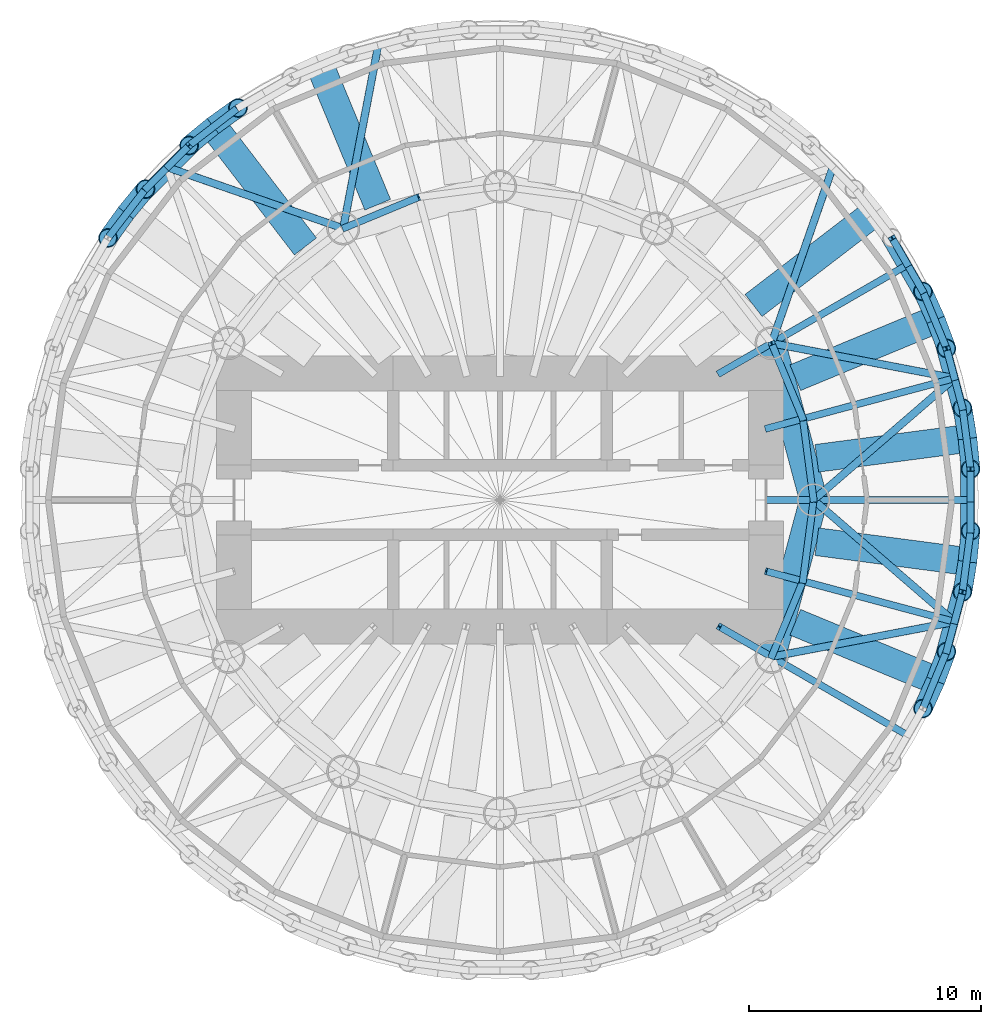
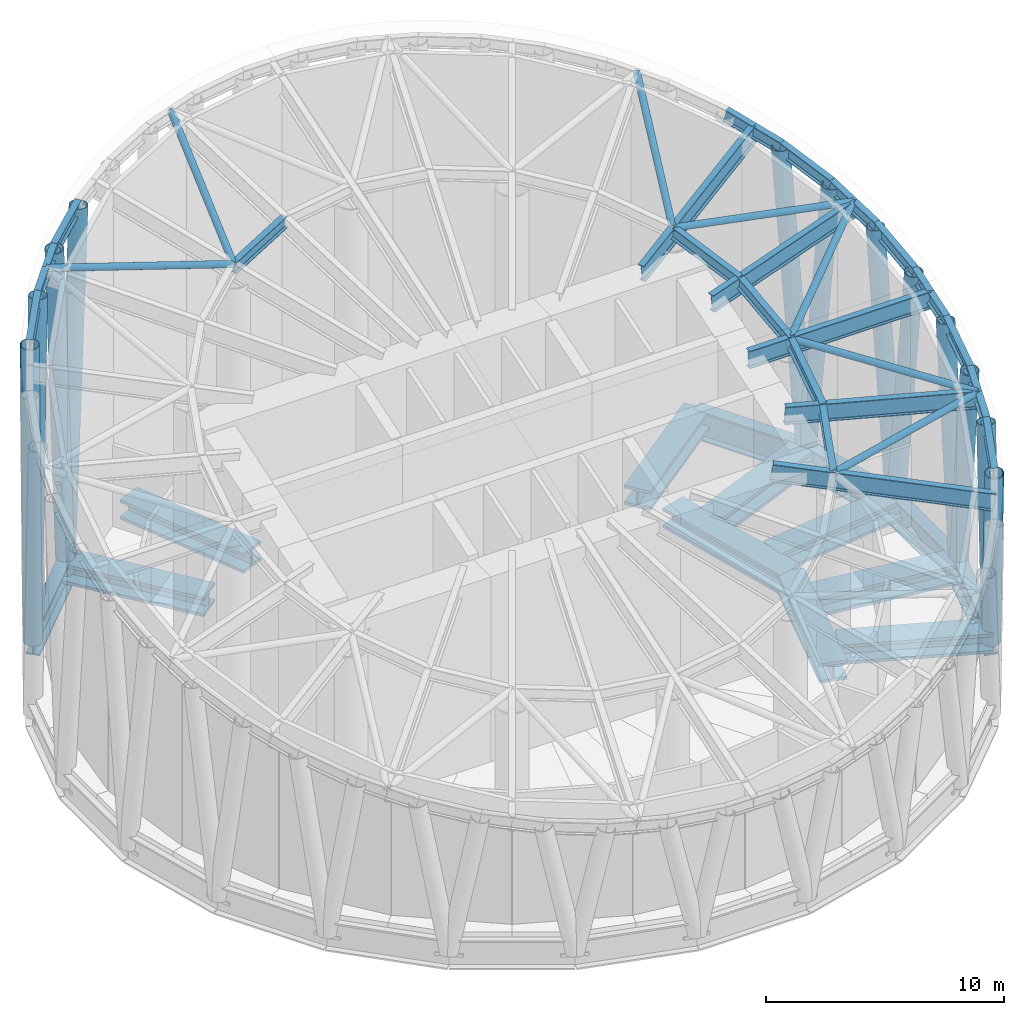
# One storey, part 4 of 9: 40 beams, 19 members.
"""IFC4 building model written with IfcOpenShell, lengths in metres."""

from ifc_helpers import new_model, si_unit, direction, frame, origin, origin_2d, place, context, subcontext, project, spatial, hollow_circle, i_section, extrude, material, material_profile, profile_set, type_object, element, save


model = new_model("IFC4")

# Units and contexts
model_context = context("Model", 3, precision=1e-05, world=origin(), true_north=direction((0.0, 1.0)))
body_context = subcontext(model_context, "Body", "Model", "MODEL_VIEW")
ifc_project = project(units=[si_unit("LENGTHUNIT", "METRE"), si_unit("AREAUNIT", "SQUARE_METRE"), si_unit("VOLUMEUNIT", "CUBIC_METRE"), si_unit("PLANEANGLEUNIT", "RADIAN"), si_unit("MASSUNIT", "GRAM", prefix="KILO")], contexts=[model_context])

# Site, building, storey
site_placement = place(None, origin())
site = spatial("IfcSite", under=ifc_project, at=site_placement, CompositionType="ELEMENT")
building_placement = place(site_placement, origin())
building = spatial("IfcBuilding", under=site, at=building_placement, Name="Qaws Media Tower", CompositionType="ELEMENT")
storey_placement = place(building_placement, frame((0.0, 0.0, 286.39990234375)))
storey = spatial("IfcBuildingStorey", under=building, at=storey_placement, Name="L66", CompositionType="ELEMENT", Elevation=286.39990234375)

# Members
ifc_material_1 = material(Name="Steel S355", Category="steel")
ifc_material_profile_1 = material_profile(ifc_material_1, hollow_circle(Radius=0.406494140625, WallThickness=0.0400390625, at=origin_2d()), Name="CHS 813x40")
ifc_profile_set_1 = profile_set([ifc_material_profile_1], Name="Steel S355")
member_type_1 = type_object("IfcMemberType", Name="Crown diagrid member CHS 813x40", PredefinedType="USERDEFINED", material=ifc_profile_set_1)
member_1_placement = place(storey_placement, frame((80.126220703125, 52.649658203125, -1.0), z_axis=(-0.015689526543, 0.09507569753, 0.995346397239), x_axis=(-0.986655896054, -0.162819356287, 0.0)))
element("IfcMember", 1, at=member_1_placement, inside=storey, type_object=member_type_1, Name="DG5 crown diagrid A01", ObjectType="DIAGRID", PredefinedType="USERDEFINED", context=body_context, shape_type="SweptSolid", body=[
    extrude(hollow_circle(Radius=0.406494140625, WallThickness=0.0400390625, at=origin_2d()), origin(), (0.0, 0.0, 1.0), 13.786865234375),
])
member_2_placement = place(storey_placement, frame((80.126220703125, 52.649658203125, -1.0), z_axis=(0.0100782986, -0.102198477375, 0.994712973234), x_axis=(0.995172725199, 0.098138916945, 0.0)))
element("IfcMember", 2, at=member_2_placement, inside=storey, type_object=member_type_1, Name="DG5 crown diagrid B01", ObjectType="DIAGRID", PredefinedType="USERDEFINED", context=body_context, shape_type="SweptSolid", body=[
    extrude(hollow_circle(Radius=0.406494140625, WallThickness=0.0400390625, at=origin_2d()), origin(), (0.0, 0.0, 1.0), 12.935791015625),
])
member_3_placement = place(storey_placement, frame((78.754638671875, 57.7685546875, -1.0), z_axis=(-0.035566092022, 0.078514722522, 0.996278320273), x_axis=(-0.910900743687, -0.412625538656, 0.0)))
element("IfcMember", 3, at=member_3_placement, inside=storey, type_object=member_type_1, Name="DG5 crown diagrid A02", ObjectType="DIAGRID", PredefinedType="USERDEFINED", context=body_context, shape_type="SweptSolid", body=[
    extrude(hollow_circle(Radius=0.406494140625, WallThickness=0.0400390625, at=origin_2d()), origin(), (0.0, 0.0, 1.0), 15.41064453125),
])
member_4_placement = place(storey_placement, frame((78.754638671875, 57.7685546875, -1.0), z_axis=(0.032019466778, -0.085067889567, 0.995860536376), x_axis=(0.935898018612, 0.352271058645, 0.0)))
element("IfcMember", 4, at=member_4_placement, inside=storey, type_object=member_type_1, Name="DG5 crown diagrid B02", ObjectType="DIAGRID", PredefinedType="USERDEFINED", context=body_context, shape_type="SweptSolid", body=[
    extrude(hollow_circle(Radius=0.406494140625, WallThickness=0.0400390625, at=origin_2d()), origin(), (0.0, 0.0, 1.0), 14.61669921875),
])
member_5_placement = place(storey_placement, frame((47.64208984375, 66.10498046875, -1.0), z_axis=(-0.058860230621, -0.048294497354, 0.997097344684), x_axis=(0.634308161704, -0.773080303717, 0.0)))
element("IfcMember", 5, at=member_5_placement, inside=storey, type_object=member_type_1, Name="DG5 crown diagrid A09", ObjectType="DIAGRID", PredefinedType="USERDEFINED", context=body_context, shape_type="SweptSolid", body=[
    extrude(hollow_circle(Radius=0.406494140625, WallThickness=0.0400390625, at=origin_2d()), origin(), (0.0, 0.0, 1.0), 17.445556640625),
])
member_6_placement = place(storey_placement, frame((47.64208984375, 66.10498046875, -1.0), z_axis=(0.060093119495, 0.043069226498, 0.997263184279), x_axis=(-0.582541199639, 0.812801175395, 0.0)))
element("IfcMember", 6, at=member_6_placement, inside=storey, type_object=member_type_1, Name="DG5 crown diagrid B09", ObjectType="DIAGRID", PredefinedType="USERDEFINED", context=body_context, shape_type="SweptSolid", body=[
    extrude(hollow_circle(Radius=0.406494140625, WallThickness=0.0400390625, at=origin_2d()), origin(), (0.0, 0.0, 1.0), 17.96923828125),
])
member_7_placement = place(storey_placement, frame((43.89501953125, 62.35791015625, -1.0), z_axis=(-0.047906087297, -0.06684183726, 0.996612851408), x_axis=(0.812801175395, -0.582541199639, 0.0)))
element("IfcMember", 7, at=member_7_placement, inside=storey, type_object=member_type_1, Name="DG5 crown diagrid A10", ObjectType="DIAGRID", PredefinedType="USERDEFINED", context=body_context, shape_type="SweptSolid", body=[
    extrude(hollow_circle(Radius=0.406494140625, WallThickness=0.0400390625, at=origin_2d()), origin(), (0.0, 0.0, 1.0), 16.155029296875),
])
member_8_placement = place(storey_placement, frame((43.89501953125, 62.35791015625, -1.0), z_axis=(0.050039198741, 0.060986632833, 0.996883498311), x_axis=(-0.773080303717, 0.634308161704, 0.0)))
element("IfcMember", 8, at=member_8_placement, inside=storey, type_object=member_type_1, Name="DG5 crown diagrid B10", ObjectType="DIAGRID", PredefinedType="USERDEFINED", context=body_context, shape_type="SweptSolid", body=[
    extrude(hollow_circle(Radius=0.406494140625, WallThickness=0.0400390625, at=origin_2d()), origin(), (0.0, 0.0, 1.0), 16.83740234375),
])
member_9_placement = place(storey_placement, frame((78.754638671875, 42.2314453125, -1.0), z_axis=(0.044997898047, 0.119548406235, 0.991808130506), x_axis=(-0.935898018612, 0.352271058645, 0.0)))
element("IfcMember", 9, at=member_9_placement, inside=storey, type_object=member_type_1, Name="DG5 crown diagrid A23", ObjectType="DIAGRID", PredefinedType="USERDEFINED", context=body_context, shape_type="SweptSolid", body=[
    extrude(hollow_circle(Radius=0.406494140625, WallThickness=0.0400390625, at=origin_2d()), origin(), (0.0, 0.0, 1.0), 10.40087890625),
])
member_10_placement = place(storey_placement, frame((78.754638671875, 42.2314453125, -1.0), z_axis=(-0.057027765099, -0.1258929193, 0.990403355648), x_axis=(0.910900743687, -0.412625538656, 0.0)))
element("IfcMember", 10, at=member_10_placement, inside=storey, type_object=member_type_1, Name="DG5 crown diagrid B23", ObjectType="DIAGRID", PredefinedType="USERDEFINED", context=body_context, shape_type="SweptSolid", body=[
    extrude(hollow_circle(Radius=0.406494140625, WallThickness=0.0400390625, at=origin_2d()), origin(), (0.0, 0.0, 1.0), 9.611083984375),
])
member_11_placement = place(storey_placement, frame((80.126220703125, 47.350341796875, -1.0), z_axis=(0.010794170068, 0.109457735806, 0.993932839766), x_axis=(-0.995172725199, 0.098138916945, 0.0)))
element("IfcMember", 11, at=member_11_placement, inside=storey, type_object=member_type_1, Name="DG5 crown diagrid A24", ObjectType="DIAGRID", PredefinedType="USERDEFINED", context=body_context, shape_type="SweptSolid", body=[
    extrude(hollow_circle(Radius=0.406494140625, WallThickness=0.0400390625, at=origin_2d()), origin(), (0.0, 0.0, 1.0), 12.077880859375),
])
member_12_placement = place(storey_placement, frame((80.126220703125, 47.350341796875, -1.0), z_axis=(-0.019265030542, -0.116742606072, 0.992975338327), x_axis=(0.986655896054, -0.162819356287, 0.0)))
element("IfcMember", 12, at=member_12_placement, inside=storey, type_object=member_type_1, Name="DG5 crown diagrid B24", ObjectType="DIAGRID", PredefinedType="USERDEFINED", context=body_context, shape_type="SweptSolid", body=[
    extrude(hollow_circle(Radius=0.406494140625, WallThickness=0.0400390625, at=origin_2d()), origin(), (0.0, 0.0, 1.0), 11.22802734375),
])

# Beams
ifc_material_2 = material(Name="Steel S355", Category="steel")
ifc_material_profile_2 = material_profile(ifc_material_2, i_section(OverallWidth=0.304931640625, OverallDepth=0.6201171875, WebThickness=0.02099609375, FlangeThickness=0.0400390625, FilletRadius=0.027099609375, at=origin_2d()), Name="HE 600 M")
ifc_profile_set_2 = profile_set([ifc_material_profile_2], Name="Steel S355")
beam_type_1 = type_object("IfcBeamType", Name="Crown edge beam HE 600 M", PredefinedType="BEAM", material=ifc_profile_set_2)
beam_1_placement = place(storey_placement, frame((80.256591796875, 51.32763671875, 11.867431640625), z_axis=(-0.124264357392, 0.943709035289, 0.30654791827), x_axis=(-0.991441774115, -0.130549640138, 0.0)))
element("IfcBeam", 13, at=beam_1_placement, inside=storey, type_object=beam_type_1, Name="B5 crown edge beam 01", PredefinedType="BEAM", context=body_context, shape_type="SweptSolid", body=[
    extrude(i_section(OverallWidth=0.304931640625, OverallDepth=0.6201171875, WebThickness=0.02099609375, FlangeThickness=0.0400390625, FilletRadius=0.027099609375, at=origin_2d()), origin(), (0.0, 0.0, 1.0), 2.789794921875),
])
beam_2_placement = place(storey_placement, frame((79.909912109375, 53.96044921875, 12.72265625), z_axis=(-0.246891496102, 0.921587873153, 0.299533606145), x_axis=(-0.965938200976, -0.258772857725, 0.0)))
element("IfcBeam", 14, at=beam_2_placement, inside=storey, type_object=beam_type_1, Name="B5 crown edge beam 02 part a", PredefinedType="BEAM", context=body_context, shape_type="SweptSolid", body=[
    extrude(i_section(OverallWidth=0.304931640625, OverallDepth=0.6201171875, WebThickness=0.02099609375, FlangeThickness=0.0400390625, FilletRadius=0.027099609375, at=origin_2d()), origin(), (0.0, 0.0, 1.0), 1.391357421875),
])
beam_3_placement = place(storey_placement, frame((79.56640625, 55.24267578125, 13.139404296875), z_axis=(-0.247016319805, 0.921574380637, 0.299472200218), x_axis=(-0.965904544249, -0.258898457701, 0.0)))
element("IfcBeam", 15, at=beam_3_placement, inside=storey, type_object=beam_type_1, Name="B5 crown edge beam 02 part b", PredefinedType="BEAM", context=body_context, shape_type="SweptSolid", body=[
    extrude(i_section(OverallWidth=0.304931640625, OverallDepth=0.6201171875, WebThickness=0.02099609375, FlangeThickness=0.0400390625, FilletRadius=0.027099609375, at=origin_2d()), origin(), (0.0, 0.0, 1.0), 1.3916015625),
])
beam_4_placement = place(storey_placement, frame((79.22265625, 56.525146484375, 13.55615234375), z_axis=(-0.366493573398, 0.884885612465, 0.287506371251), x_axis=(-0.923893577046, -0.382649524099, 0.0)))
element("IfcBeam", 16, at=beam_4_placement, inside=storey, type_object=beam_type_1, Name="B5 crown edge beam 03", PredefinedType="BEAM", context=body_context, shape_type="SweptSolid", body=[
    extrude(i_section(OverallWidth=0.304931640625, OverallDepth=0.6201171875, WebThickness=0.02099609375, FlangeThickness=0.0400390625, FilletRadius=0.027099609375, at=origin_2d()), origin(), (0.0, 0.0, 1.0), 2.7724609375),
])
beam_5_placement = place(storey_placement, frame((78.20654296875, 58.978515625, 14.353271484375), z_axis=(-0.481344182578, 0.833633599029, 0.270855681995), x_axis=(-0.866004891035, -0.500035527442, 0.0)))
element("IfcBeam", 17, at=beam_5_placement, inside=storey, type_object=beam_type_1, Name="B5 crown edge beam 04 part a", PredefinedType="BEAM", context=body_context, shape_type="SweptSolid", body=[
    extrude(i_section(OverallWidth=0.304931640625, OverallDepth=0.6201171875, WebThickness=0.02099609375, FlangeThickness=0.0400390625, FilletRadius=0.027099609375, at=origin_2d()), origin(), (0.0, 0.0, 1.0), 1.379150390625),
])
beam_6_placement = place(storey_placement, frame((77.542724609375, 60.128173828125, 14.726806640625), z_axis=(-0.48127315493, 0.833687590923, 0.270815714249), x_axis=(-0.866050862637, -0.499955901382, 0.0)))
element("IfcBeam", 18, at=beam_6_placement, inside=storey, type_object=beam_type_1, Name="B5 crown edge beam 04 part b", PredefinedType="BEAM", context=body_context, shape_type="SweptSolid", body=[
    extrude(i_section(OverallWidth=0.304931640625, OverallDepth=0.6201171875, WebThickness=0.02099609375, FlangeThickness=0.0400390625, FilletRadius=0.027099609375, at=origin_2d()), origin(), (0.0, 0.0, 1.0), 1.37939453125),
])
beam_7_placement = place(storey_placement, frame((48.721923828125, 66.87890625, 16.920166015625), z_axis=(-0.778290949844, -0.59717978664, -0.194009019946), x_axis=(0.608746117959, -0.793365088638, 0.0)))
element("IfcBeam", 19, at=beam_7_placement, inside=storey, type_object=beam_type_1, Name="B5 crown edge beam 17", PredefinedType="BEAM", context=body_context, shape_type="SweptSolid", body=[
    extrude(i_section(OverallWidth=0.304931640625, OverallDepth=0.6201171875, WebThickness=0.02099609375, FlangeThickness=0.0400390625, FilletRadius=0.027099609375, at=origin_2d()), origin(), (0.0, 0.0, 1.0), 2.706787109375),
])
for number, where, z_axis, x_axis, name in (
    (20, (46.615234375, 65.262451171875, 16.39501953125), (-0.689047730018, -0.68922693619, -0.22400771457), (0.70719871472, -0.707014835699, 0.0), "B5 crown edge beam 18 part a"),
    (21, (45.676513671875, 64.323486328125, 16.08984375), (-0.689254594814, -0.689075381451, -0.223837490619), (0.707014835699, -0.70719871472, 0.0), "B5 crown edge beam 18 part b"),
):
    element("IfcBeam", number, at=place(storey_placement, frame(where, z_axis=z_axis, x_axis=x_axis)), inside=storey, type_object=beam_type_1, Name=name, PredefinedType="BEAM", context=body_context, shape_type="SweptSolid", body=[
        extrude(i_section(OverallWidth=0.304931640625, OverallDepth=0.6201171875, WebThickness=0.02099609375, FlangeThickness=0.0400390625, FilletRadius=0.027099609375, at=origin_2d()), origin(), (0.0, 0.0, 1.0), 1.3623046875),
    ])
beam_8_placement = place(storey_placement, frame((44.737548828125, 63.384765625, 15.784912109375), z_axis=(-0.589472117613, -0.768245718604, -0.249642020508), x_axis=(0.793365088638, -0.608746117959, 0.0)))
element("IfcBeam", 22, at=beam_8_placement, inside=storey, type_object=beam_type_1, Name="B5 crown edge beam 19", PredefinedType="BEAM", context=body_context, shape_type="SweptSolid", body=[
    extrude(i_section(OverallWidth=0.304931640625, OverallDepth=0.6201171875, WebThickness=0.02099609375, FlangeThickness=0.0400390625, FilletRadius=0.027099609375, at=origin_2d()), origin(), (0.0, 0.0, 1.0), 2.7421875),
])
beam_9_placement = place(storey_placement, frame((78.20654296875, 41.021484375, 8.518798828125), z_axis=(0.366502850837, 0.884908012509, 0.287425589893), x_axis=(-0.923893577046, 0.382649524099, 0.0)))
element("IfcBeam", 23, at=beam_9_placement, inside=storey, type_object=beam_type_1, Name="B5 crown edge beam 45", PredefinedType="BEAM", context=body_context, shape_type="SweptSolid", body=[
    extrude(i_section(OverallWidth=0.304931640625, OverallDepth=0.6201171875, WebThickness=0.02099609375, FlangeThickness=0.0400390625, FilletRadius=0.027099609375, at=origin_2d()), origin(), (0.0, 0.0, 1.0), 2.7724609375),
])
beam_10_placement = place(storey_placement, frame((79.22265625, 43.474853515625, 9.315673828125), z_axis=(0.247016319805, 0.921574380637, 0.299472200218), x_axis=(-0.965904544249, 0.258898457701, 0.0)))
element("IfcBeam", 24, at=beam_10_placement, inside=storey, type_object=beam_type_1, Name="B5 crown edge beam 46 part a", PredefinedType="BEAM", context=body_context, shape_type="SweptSolid", body=[
    extrude(i_section(OverallWidth=0.304931640625, OverallDepth=0.6201171875, WebThickness=0.02099609375, FlangeThickness=0.0400390625, FilletRadius=0.027099609375, at=origin_2d()), origin(), (0.0, 0.0, 1.0), 1.3916015625),
])
beam_11_placement = place(storey_placement, frame((79.56640625, 44.75732421875, 9.732421875), z_axis=(0.246891496102, 0.921587873153, 0.299533606145), x_axis=(-0.965938200976, 0.258772857725, 0.0)))
element("IfcBeam", 25, at=beam_11_placement, inside=storey, type_object=beam_type_1, Name="B5 crown edge beam 46 part b", PredefinedType="BEAM", context=body_context, shape_type="SweptSolid", body=[
    extrude(i_section(OverallWidth=0.304931640625, OverallDepth=0.6201171875, WebThickness=0.02099609375, FlangeThickness=0.0400390625, FilletRadius=0.027099609375, at=origin_2d()), origin(), (0.0, 0.0, 1.0), 1.391357421875),
])
beam_12_placement = place(storey_placement, frame((79.909912109375, 46.03955078125, 10.149169921875), z_axis=(0.124261023529, 0.943683716716, 0.306627201722), x_axis=(-0.991441774115, 0.130549640138, 0.0)))
element("IfcBeam", 26, at=beam_12_placement, inside=storey, type_object=beam_type_1, Name="B5 crown edge beam 47", PredefinedType="BEAM", context=body_context, shape_type="SweptSolid", body=[
    extrude(i_section(OverallWidth=0.304931640625, OverallDepth=0.6201171875, WebThickness=0.02099609375, FlangeThickness=0.0400390625, FilletRadius=0.027099609375, at=origin_2d()), origin(), (0.0, 0.0, 1.0), 2.7900390625),
])
for number, where, z_axis, x_axis, name in (
    (27, (80.256591796875, 48.67236328125, 11.004638671875), (0.0, 0.951052060329, 0.309030708092), (-1.0, 0.0, 0.0), "B5 crown edge beam 48 part a"),
    (28, (80.256591796875, 50.0, 11.43603515625), (0.0, 0.951052060329, 0.309030708092), (-1.0, 0.0, 0.0), "B5 crown edge beam 48 part b"),
):
    element("IfcBeam", number, at=place(storey_placement, frame(where, z_axis=z_axis, x_axis=x_axis)), inside=storey, type_object=beam_type_1, Name=name, PredefinedType="BEAM", context=body_context, shape_type="SweptSolid", body=[
        extrude(i_section(OverallWidth=0.304931640625, OverallDepth=0.6201171875, WebThickness=0.02099609375, FlangeThickness=0.0400390625, FilletRadius=0.027099609375, at=origin_2d()), origin(), (0.0, 0.0, 1.0), 1.39599609375),
    ])
ifc_material_3 = material(Name="Steel S355", Category="steel")
ifc_material_profile_3 = material_profile(ifc_material_3, i_section(OverallWidth=0.300048828125, OverallDepth=0.89990234375, WebThickness=0.0185546875, FlangeThickness=0.034912109375, FilletRadius=0.030029296875, at=origin_2d()), Name="HE 900 B")
ifc_profile_set_3 = profile_set([ifc_material_profile_3], Name="Steel S355")
beam_type_2 = type_object("IfcBeamType", Name="Crown rafter HE 900 B", PredefinedType="BEAM", material=ifc_profile_set_3)
beam_13_placement = place(storey_placement, frame((71.449951171875, 50.0, 11.297119140625), z_axis=(1.0, 0.0, 0.0), x_axis=(0.0, 1.0, 0.0)))
element("IfcBeam", 29, at=beam_13_placement, inside=storey, type_object=beam_type_2, Name="B4 crown rafter 01", PredefinedType="BEAM", context=body_context, shape_type="SweptSolid", body=[
    extrude(i_section(OverallWidth=0.300048828125, OverallDepth=0.89990234375, WebThickness=0.0185546875, FlangeThickness=0.034912109375, FilletRadius=0.030029296875, at=origin_2d()), origin(), (0.0, 0.0, 1.0), 8.806640625),
])
beam_14_placement = place(storey_placement, frame((71.449951171875, 53.068115234375, 12.294189453125), z_axis=(0.962536158598, 0.25788267603, 0.083789431282), x_axis=(-0.258792725137, 0.965932878318, 0.0)))
element("IfcBeam", 30, at=beam_14_placement, inside=storey, type_object=beam_type_2, Name="B4 crown rafter 02", PredefinedType="BEAM", context=body_context, shape_type="SweptSolid", body=[
    extrude(i_section(OverallWidth=0.300048828125, OverallDepth=0.89990234375, WebThickness=0.0185546875, FlangeThickness=0.034912109375, FilletRadius=0.030029296875, at=origin_2d()), origin(), (0.0, 0.0, 1.0), 8.432373046875),
])
for number, where, z_axis, x_axis, name in (
    (31, (69.439697265625, 55.449951171875, 13.068603515625), (0.854821637434, 0.493524923667, 0.160353103786), (-0.499995001195, 0.866028289827, 0.0), "B4 crown rafter 03"),
    (32, (69.439697265625, 44.550048828125, 9.527099609375), (0.854821637434, -0.493524923667, -0.160353103786), (0.499995001195, 0.866028289827, 0.0), "B4 crown rafter 23"),
):
    element("IfcBeam", number, at=place(storey_placement, frame(where, z_axis=z_axis, x_axis=x_axis)), inside=storey, type_object=beam_type_2, Name=name, PredefinedType="BEAM", context=body_context, shape_type="SweptSolid", body=[
        extrude(i_section(OverallWidth=0.300048828125, OverallDepth=0.89990234375, WebThickness=0.0185546875, FlangeThickness=0.034912109375, FilletRadius=0.030029296875, at=origin_2d()), origin(), (0.0, 0.0, 1.0), 9.479248046875),
    ])
beam_15_placement = place(storey_placement, frame((71.449951171875, 46.931884765625, 10.300537109375), z_axis=(0.962533823149, -0.257882050317, -0.083818180719), x_axis=(0.258792725137, 0.965932878318, 0.0)))
element("IfcBeam", 33, at=beam_15_placement, inside=storey, type_object=beam_type_2, Name="B4 crown rafter 24", PredefinedType="BEAM", context=body_context, shape_type="SweptSolid", body=[
    extrude(i_section(OverallWidth=0.300048828125, OverallDepth=0.89990234375, WebThickness=0.0185546875, FlangeThickness=0.034912109375, FilletRadius=0.030029296875, at=origin_2d()), origin(), (0.0, 0.0, 1.0), 8.432373046875),
])

# Members
ifc_material_4 = material(Name="Steel S355", Category="steel")
ifc_material_profile_4 = material_profile(ifc_material_4, hollow_circle(Radius=0.161865234375, WallThickness=0.01611328125, at=origin_2d()), Name="CHS 323.9x16")
ifc_profile_set_4 = profile_set([ifc_material_profile_4], Name="Steel S355")
member_type_2 = type_object("IfcMemberType", Name="Crown roof brace CHS 323.9x16", PredefinedType="BRACE", material=ifc_profile_set_4)
member_13_placement = place(storey_placement, frame((73.5, 50.0, 11.625732421875), z_axis=(0.740089664162, 0.639596162597, 0.207807694255), x_axis=(-0.653870348393, 0.756606613434, 0.0)))
element("IfcMember", 34, at=member_13_placement, inside=storey, type_object=member_type_2, Name="CB1 crown roof brace 01", PredefinedType="BRACE", context=body_context, shape_type="SweptSolid", body=[
    extrude(hollow_circle(Radius=0.161865234375, WallThickness=0.01611328125, at=origin_2d()), origin(), (0.0, 0.0, 1.0), 8.19677734375),
])
member_14_placement = place(storey_placement, frame((71.69140625, 56.75, 13.81884765625), z_axis=(0.980343185133, -0.187643812779, -0.060967523232), x_axis=(0.187993527685, 0.982170267086, 0.0)))
element("IfcMember", 35, at=member_14_placement, inside=storey, type_object=member_type_2, Name="CB1 crown roof brace 02", PredefinedType="BRACE", context=body_context, shape_type="SweptSolid", body=[
    extrude(hollow_circle(Radius=0.161865234375, WallThickness=0.01611328125, at=origin_2d()), origin(), (0.0, 0.0, 1.0), 8.032958984375),
])
member_15_placement = place(storey_placement, frame((71.69140625, 56.75, 13.81884765625), z_axis=(0.313828586776, 0.903003115701, 0.293422887923), x_axis=(-0.944580977399, 0.328278505443, 0.0)))
element("IfcMember", 36, at=member_15_placement, inside=storey, type_object=member_type_2, Name="CB1 crown roof brace 03", PredefinedType="BRACE", context=body_context, shape_type="SweptSolid", body=[
    extrude(hollow_circle(Radius=0.161865234375, WallThickness=0.01611328125, at=origin_2d()), origin(), (0.0, 0.0, 1.0), 8.386962890625),
])
member_16_placement = place(storey_placement, frame((53.25, 61.69140625, 15.42431640625), z_axis=(0.179094315015, 0.935676421304, 0.304031019708), x_axis=(-0.982170267086, 0.187993527685, 0.0)))
element("IfcMember", 37, at=member_16_placement, inside=storey, type_object=member_type_2, Name="CB1 crown roof brace 08", PredefinedType="BRACE", context=body_context, shape_type="SweptSolid", body=[
    extrude(hollow_circle(Radius=0.161865234375, WallThickness=0.01611328125, at=origin_2d()), origin(), (0.0, 0.0, 1.0), 8.416259765625),
])
member_17_placement = place(storey_placement, frame((53.25, 61.69140625, 15.42431640625), z_axis=(-0.93924989496, 0.326425747641, 0.106093666611), x_axis=(-0.328278505443, -0.944580977399, 0.0)))
element("IfcMember", 38, at=member_17_placement, inside=storey, type_object=member_type_2, Name="CB1 crown roof brace 09", PredefinedType="BRACE", context=body_context, shape_type="SweptSolid", body=[
    extrude(hollow_circle(Radius=0.161865234375, WallThickness=0.01611328125, at=origin_2d()), origin(), (0.0, 0.0, 1.0), 8.063232421875),
])
member_18_placement = place(storey_placement, frame((71.69140625, 43.25, 9.432373046875), z_axis=(0.980343185133, 0.187643812779, 0.060967523232), x_axis=(-0.187993527685, 0.982170267086, 0.0)))
element("IfcMember", 39, at=member_18_placement, inside=storey, type_object=member_type_2, Name="CB1 crown roof brace 23", PredefinedType="BRACE", context=body_context, shape_type="SweptSolid", body=[
    extrude(hollow_circle(Radius=0.161865234375, WallThickness=0.01611328125, at=origin_2d()), origin(), (0.0, 0.0, 1.0), 8.032958984375),
])
member_19_placement = place(storey_placement, frame((73.5, 50.0, 11.625732421875), z_axis=(0.740085083102, -0.639592203579, -0.207836192446), x_axis=(0.653870348393, 0.756606613434, 0.0)))
element("IfcMember", 40, at=member_19_placement, inside=storey, type_object=member_type_2, Name="CB1 crown roof brace 24", PredefinedType="BRACE", context=body_context, shape_type="SweptSolid", body=[
    extrude(hollow_circle(Radius=0.161865234375, WallThickness=0.01611328125, at=origin_2d()), origin(), (0.0, 0.0, 1.0), 8.197021484375),
])

# Beams
ifc_material_5 = material(Name="Steel S355", Category="steel")
ifc_material_profile_5 = material_profile(ifc_material_5, i_section(OverallWidth=0.300048828125, OverallDepth=0.60009765625, WebThickness=0.015380859375, FlangeThickness=0.030029296875, FilletRadius=0.027099609375, at=origin_2d()), Name="HE 600 B")
ifc_profile_set_5 = profile_set([ifc_material_profile_5], Name="Steel S355")
beam_type_3 = type_object("IfcBeamType", Name="Crown tie ring HE 600 B", PredefinedType="BEAM", material=ifc_profile_set_5)
beam_16_placement = place(storey_placement, frame((73.5, 50.0, 11.474365234375), z_axis=(-0.124225849898, 0.943694460585, 0.306608387488), x_axis=(-0.991446748745, -0.130511855411, 0.0)))
element("IfcBeam", 41, at=beam_16_placement, inside=storey, type_object=beam_type_3, Name="B17 crown tie ring 01", PredefinedType="BEAM", context=body_context, shape_type="SweptSolid", body=[
    extrude(i_section(OverallWidth=0.300048828125, OverallDepth=0.60009765625, WebThickness=0.015380859375, FlangeThickness=0.030029296875, FilletRadius=0.027099609375, at=origin_2d()), origin(), (0.0, 0.0, 1.0), 3.70263671875),
])
beam_17_placement = place(storey_placement, frame((73.0400390625, 53.494140625, 12.599365234375), z_axis=(-0.366529070977, 0.884871775986, 0.28750370466), x_axis=(-0.923878358498, -0.382686266672, 0.0)))
element("IfcBeam", 42, at=beam_17_placement, inside=storey, type_object=beam_type_3, Name="B17 crown tie ring 02", PredefinedType="BEAM", context=body_context, shape_type="SweptSolid", body=[
    extrude(i_section(OverallWidth=0.300048828125, OverallDepth=0.60009765625, WebThickness=0.015380859375, FlangeThickness=0.030029296875, FilletRadius=0.027099609375, at=origin_2d()), origin(), (0.0, 0.0, 1.0), 3.679443359375),
])
beam_18_placement = place(storey_placement, frame((56.505859375, 63.0400390625, 15.685546875), z_axis=(-0.9168169605, -0.379761314472, -0.123401802947), x_axis=(0.382686266672, -0.923878358498, 0.0)))
element("IfcBeam", 43, at=beam_18_placement, inside=storey, type_object=beam_type_3, Name="B17 crown tie ring 08", PredefinedType="BEAM", context=body_context, shape_type="SweptSolid", body=[
    extrude(i_section(OverallWidth=0.300048828125, OverallDepth=0.60009765625, WebThickness=0.015380859375, FlangeThickness=0.030029296875, FilletRadius=0.027099609375, at=origin_2d()), origin(), (0.0, 0.0, 1.0), 3.55126953125),
])
beam_19_placement = place(storey_placement, frame((71.69140625, 43.25, 9.27099609375), z_axis=(0.366529070977, 0.884871775986, 0.28750370466), x_axis=(-0.923878358498, 0.382686266672, 0.0)))
element("IfcBeam", 44, at=beam_19_placement, inside=storey, type_object=beam_type_3, Name="B17 crown tie ring 23", PredefinedType="BEAM", context=body_context, shape_type="SweptSolid", body=[
    extrude(i_section(OverallWidth=0.300048828125, OverallDepth=0.60009765625, WebThickness=0.015380859375, FlangeThickness=0.030029296875, FilletRadius=0.027099609375, at=origin_2d()), origin(), (0.0, 0.0, 1.0), 3.679443359375),
])
beam_20_placement = place(storey_placement, frame((73.0400390625, 46.505859375, 10.339111328125), z_axis=(0.124225849898, 0.943694460585, 0.306608387488), x_axis=(-0.991446748745, 0.130511855411, 0.0)))
element("IfcBeam", 45, at=beam_20_placement, inside=storey, type_object=beam_type_3, Name="B17 crown tie ring 24", PredefinedType="BEAM", context=body_context, shape_type="SweptSolid", body=[
    extrude(i_section(OverallWidth=0.300048828125, OverallDepth=0.60009765625, WebThickness=0.015380859375, FlangeThickness=0.030029296875, FilletRadius=0.027099609375, at=origin_2d()), origin(), (0.0, 0.0, 1.0), 3.70263671875),
])
ifc_material_6 = material(Name="Steel S460", Category="steel")
ifc_material_profile_6 = material_profile(ifc_material_6, i_section(OverallWidth=0.60009765625, OverallDepth=1.5, WebThickness=0.030029296875, FlangeThickness=0.080078125, at=origin_2d()), Name="PG 1500x600")
ifc_profile_set_6 = profile_set([ifc_material_profile_6], Name="Steel S460")
beam_type_4 = type_object("IfcBeamType", Name="Edge ring beam PG 1500x600", PredefinedType="BEAM", material=ifc_profile_set_6)
beam_21_placement = place(storey_placement, frame((80.126220703125, 52.649658203125, -1.0), z_axis=(-0.258815145792, 0.965926871098, 0.0), x_axis=(-0.965926871098, -0.258815145792, 0.0)))
element("IfcBeam", 46, at=beam_21_placement, inside=storey, type_object=beam_type_4, Name="RB5 edge ring beam L66-01", PredefinedType="BEAM", context=body_context, shape_type="SweptSolid", body=[
    extrude(i_section(OverallWidth=0.60009765625, OverallDepth=1.5, WebThickness=0.030029296875, FlangeThickness=0.080078125, at=origin_2d()), origin(), (0.0, 0.0, 1.0), 5.299560546875),
])
beam_22_placement = place(storey_placement, frame((78.754638671875, 57.7685546875, -1.0), z_axis=(-0.499998950975, 0.866026009438, 0.0), x_axis=(-0.866026009438, -0.499998950975, 0.0)))
element("IfcBeam", 47, at=beam_22_placement, inside=storey, type_object=beam_type_4, Name="RB5 edge ring beam L66-02", PredefinedType="BEAM", context=body_context, shape_type="SweptSolid", body=[
    extrude(i_section(OverallWidth=0.60009765625, OverallDepth=1.5, WebThickness=0.030029296875, FlangeThickness=0.080078125, at=origin_2d()), origin(), (0.0, 0.0, 1.0), 5.29931640625),
])
beam_23_placement = place(storey_placement, frame((47.64208984375, 66.10498046875, -1.0), z_axis=(-0.707106781187, -0.707106781187, 0.0), x_axis=(0.707106781187, -0.707106781187, 0.0)))
element("IfcBeam", 48, at=beam_23_placement, inside=storey, type_object=beam_type_4, Name="RB5 edge ring beam L66-09", PredefinedType="BEAM", context=body_context, shape_type="SweptSolid", body=[
    extrude(i_section(OverallWidth=0.60009765625, OverallDepth=1.5, WebThickness=0.030029296875, FlangeThickness=0.080078125, at=origin_2d()), origin(), (0.0, 0.0, 1.0), 5.299072265625),
])
beam_24_placement = place(storey_placement, frame((78.754638671875, 42.2314453125, -1.0), z_axis=(0.258815145792, 0.965926871098, 0.0), x_axis=(-0.965926871098, 0.258815145792, 0.0)))
element("IfcBeam", 49, at=beam_24_placement, inside=storey, type_object=beam_type_4, Name="RB5 edge ring beam L66-23", PredefinedType="BEAM", context=body_context, shape_type="SweptSolid", body=[
    extrude(i_section(OverallWidth=0.60009765625, OverallDepth=1.5, WebThickness=0.030029296875, FlangeThickness=0.080078125, at=origin_2d()), origin(), (0.0, 0.0, 1.0), 5.299560546875),
])
beam_25_placement = place(storey_placement, frame((80.126220703125, 47.350341796875, -1.0), z_axis=(0.0, 1.0, 0.0), x_axis=(-1.0, 0.0, 0.0)))
element("IfcBeam", 50, at=beam_25_placement, inside=storey, type_object=beam_type_4, Name="RB5 edge ring beam L66-24", PredefinedType="BEAM", context=body_context, shape_type="SweptSolid", body=[
    extrude(i_section(OverallWidth=0.60009765625, OverallDepth=1.5, WebThickness=0.030029296875, FlangeThickness=0.080078125, at=origin_2d()), origin(), (0.0, 0.0, 1.0), 5.29931640625),
])
ifc_material_7 = material(Name="Steel S460", Category="steel")
ifc_material_profile_7 = material_profile(ifc_material_7, i_section(OverallWidth=1.199951171875, OverallDepth=1.0, WebThickness=0.06005859375, FlangeThickness=0.14990234375, at=origin_2d()), Name="PG 1000x1200")
ifc_profile_set_7 = profile_set([ifc_material_profile_7], Name="Steel S460")
beam_type_5 = type_object("IfcBeamType", Name="Inner ring girder PG 1000x1200", PredefinedType="BEAM", material=ifc_profile_set_7)
for number, where, z_axis, x_axis, name in (
    (51, (73.5, 50.0, -0.75), (-0.258810593767, 0.965928090778, 0.0), (-0.965928090778, -0.258810593767, 0.0), "B3 inner ring beam L66 I01-I02"),
    (52, (71.69140625, 43.25, -0.75), (0.258810593767, 0.965928090778, 0.0), (-0.965928090778, 0.258810593767, 0.0), "B3 inner ring beam L66 I12-I01"),
):
    element("IfcBeam", number, at=place(storey_placement, frame(where, z_axis=z_axis, x_axis=x_axis)), inside=storey, type_object=beam_type_5, Name=name, PredefinedType="BEAM", context=body_context, shape_type="SweptSolid", body=[
        extrude(i_section(OverallWidth=1.199951171875, OverallDepth=1.0, WebThickness=0.06005859375, FlangeThickness=0.14990234375, at=origin_2d()), origin(), (0.0, 0.0, 1.0), 6.988037109375),
    ])
ifc_material_8 = material(Name="Steel S355", Category="steel")
ifc_material_profile_8 = material_profile(ifc_material_8, i_section(OverallWidth=1.199951171875, OverallDepth=1.0, WebThickness=0.06005859375, FlangeThickness=0.14990234375, at=origin_2d()), Name="PG 1000x1200")
ifc_profile_set_8 = profile_set([ifc_material_profile_8], Name="Steel S355")
beam_type_6 = type_object("IfcBeamType", Name="Plant floor beam PG 1000x1200", PredefinedType="BEAM", material=ifc_profile_set_8)
for number, where, z_axis, x_axis, name in (
    (53, (73.639892578125, 51.795654296875, -0.75), (0.991443622909, 0.130535598951, 0.0), (-0.130535598951, 0.991443622909, 0.0), "B1 radial beam L66 01"),
    (54, (72.71044921875, 55.264892578125, -0.75), (0.923875378565, 0.382693460725, 0.0), (-0.382693460725, 0.923875378565, 0.0), "B1 radial beam L66 02"),
    (55, (70.914794921875, 58.375244140625, -0.75), (0.793346210904, 0.608770720094, 0.0), (-0.608770720094, 0.793346210904, 0.0), "B1 radial beam L66 03"),
    (56, (54.735107421875, 62.71044921875, -0.75), (-0.382693460725, 0.923875378565, 0.0), (-0.923875378565, -0.382693460725, 0.0), "B1 radial beam L66 08"),
    (57, (51.624755859375, 60.914794921875, -0.75), (-0.608770720094, 0.793346210904, 0.0), (-0.793346210904, -0.608770720094, 0.0), "B1 radial beam L66 09"),
    (58, (72.71044921875, 44.735107421875, -0.75), (0.923875378565, -0.382693460725, 0.0), (0.382693460725, 0.923875378565, 0.0), "B1 radial beam L66 23"),
    (59, (73.639892578125, 48.204345703125, -0.75), (0.991443622909, -0.130535598951, 0.0), (0.130535598951, 0.991443622909, 0.0), "B1 radial beam L66 24"),
):
    element("IfcBeam", number, at=place(storey_placement, frame(where, z_axis=z_axis, x_axis=x_axis)), inside=storey, type_object=beam_type_6, Name=name, PredefinedType="BEAM", context=body_context, shape_type="SweptSolid", body=[
        extrude(i_section(OverallWidth=1.199951171875, OverallDepth=1.0, WebThickness=0.06005859375, FlangeThickness=0.14990234375, at=origin_2d()), origin(), (0.0, 0.0, 1.0), 6.542236328125),
    ])

save(model, "model.ifc")
